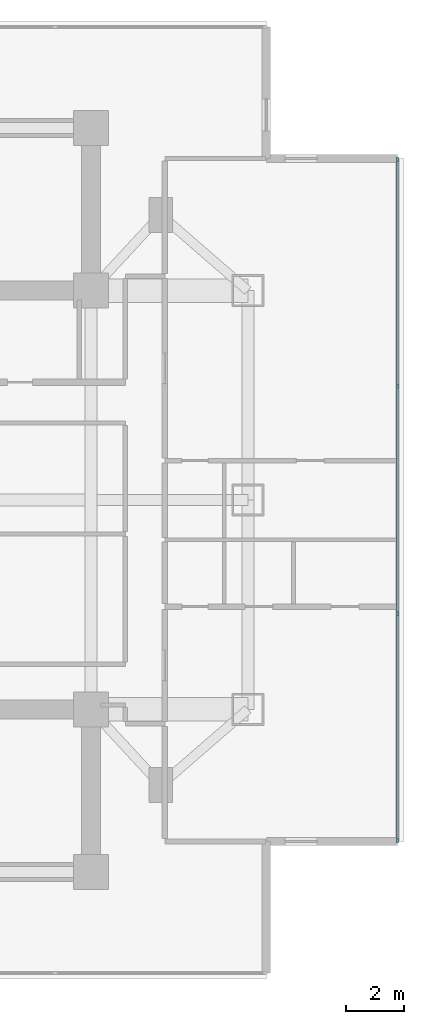
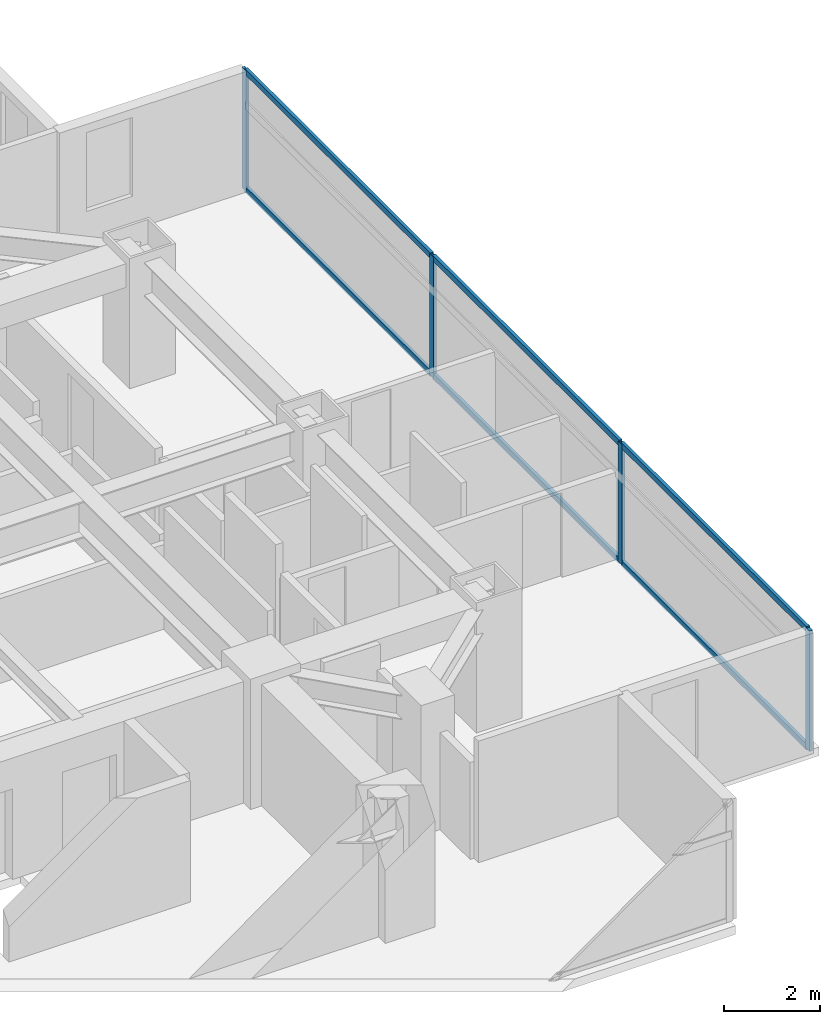
# One storey, part 11 of 26: 10 members, 1 element without a shape of its own.
"""IFC4 building model written with IfcOpenShell, lengths in metres."""

import ifcopenshell
import ifcopenshell.guid

model = None  # the IFC model being written
_history = None  # IfcOwnerHistory: only IFC2X3 demands one
_inside = {}  # id of a spatial element -> (the spatial element, [elements in it])
_under = {}  # id of a project, library or spatial element -> (it, [spatial elements below it])
_declared = {}  # id of a project -> (the project, [libraries it declares])
_typed = {}  # id of a type object -> (the type object, [elements of that type])
_made_of = {}  # id of a material, layer set ... -> (it, [elements and type objects made of it])


def new_model(schema):
    """Start an empty IFC model of exactly this schema.

    Asked for "IFC4X3", IfcOpenShell would pick the latest addendum, in which some entities
    have other attributes; the version numbers below select the first issue.
    IFC2X3 requires an IfcOwnerHistory on every rooted entity: one is made here for all.
    """
    global model, _history
    if schema == "IFC4X3":
        model = ifcopenshell.file(schema_version=(4, 3, 0, 0))
    else:
        model = ifcopenshell.file(schema=schema)
    _inside.clear()
    _under.clear()
    _declared.clear()
    _typed.clear()
    _made_of.clear()
    _history = None
    if model.schema == "IFC2X3":
        org = make("IfcOrganization", Name="unknown")
        user = make(
            "IfcPersonAndOrganization",
            ThePerson=make("IfcPerson", FamilyName="unknown"),
            TheOrganization=org,
        )
        app = make(
            "IfcApplication",
            ApplicationDeveloper=org,
            Version="unknown",
            ApplicationFullName="unknown",
            ApplicationIdentifier="unknown",
        )
        _history = make(
            "IfcOwnerHistory",
            OwningUser=user,
            OwningApplication=app,
            ChangeAction="ADDED",
            CreationDate=0,
        )
    return model


def make(cls, **values):
    """One entity of the class cls with the attributes given. An attribute that is None is left unset."""
    return model.create_entity(
        cls, **{name: value for name, value in values.items() if value is not None}
    )


def rooted(cls, **values):
    """An entity with a GlobalId (a new one), such as an element, a storey or a relation."""
    return make(cls, GlobalId=ifcopenshell.guid.new(), OwnerHistory=_history, **values)


def si_unit(unit_type, name, prefix=None):
    """IfcSIUnit, for example si_unit("LENGTHUNIT", "METRE", prefix="MILLI")."""
    return make("IfcSIUnit", UnitType=unit_type, Prefix=prefix, Name=name)


def assignment(units):
    """IfcUnitAssignment: the units of a project."""
    return None if units is None else make("IfcUnitAssignment", Units=units)


def point(xyz):
    """IfcCartesianPoint."""
    return None if xyz is None else make("IfcCartesianPoint", Coordinates=xyz)


def direction(xyz):
    """IfcDirection."""
    return None if xyz is None else make("IfcDirection", DirectionRatios=xyz)


def frame(location, z_axis=None, x_axis=None):
    """IfcAxis2Placement3D, a coordinate frame: its origin and axes. An axis left out is left unset."""
    return make(
        "IfcAxis2Placement3D",
        Location=point(location),
        Axis=direction(z_axis),
        RefDirection=direction(x_axis),
    )


def frame_2d(location, x_axis=None):
    """IfcAxis2Placement2D, a coordinate frame in the plane: its origin and x axis."""
    return make(
        "IfcAxis2Placement2D", Location=point(location), RefDirection=direction(x_axis)
    )


def origin():
    """The frame at (0, 0, 0) with its axes left unset."""
    return frame((0.0, 0.0, 0.0))


def origin_2d():
    """The frame at (0, 0) in the plane with its x axis left unset."""
    return frame_2d((0.0, 0.0))


def place(relative_to, where):
    """IfcLocalPlacement: puts the frame where relative to a parent placement (None: the world)."""
    return make(
        "IfcLocalPlacement", PlacementRelTo=relative_to, RelativePlacement=where
    )


def context(
    kind, dimensions, precision=None, world=None, true_north=None, identifier=None
):
    """IfcGeometricRepresentationContext, for example the 3D "Model" context."""
    return make(
        "IfcGeometricRepresentationContext",
        ContextIdentifier=identifier,
        ContextType=kind,
        CoordinateSpaceDimension=dimensions,
        Precision=precision,
        WorldCoordinateSystem=world,
        TrueNorth=true_north,
    )


def subcontext(parent, identifier, kind, view, scale=None):
    """IfcGeometricRepresentationSubContext, for example "Body" below "Model"."""
    return make(
        "IfcGeometricRepresentationSubContext",
        ContextIdentifier=identifier,
        ContextType=kind,
        ParentContext=parent,
        TargetScale=scale,
        TargetView=view,
    )


def project(units=None, contexts=None):
    """IfcProject with its units and contexts."""
    return rooted(
        "IfcProject",
        Name="project",
        RepresentationContexts=contexts,
        UnitsInContext=assignment(units),
    )


def spatial(cls, under=None, at=None, **own):
    """A site, building, storey or space (cls), placed at a placement, below another one or the project."""
    s = rooted(cls, ObjectPlacement=at, **own)
    if under is not None:
        _under.setdefault(under.id(), (under, []))[1].append(s)
    return s


def profile(cls, at=None, kind="AREA", **sizes):
    """A parametric profile (cls). Its sizes go by their IFC names, for example OverallWidth=200.0."""
    return make(cls, ProfileType=kind, Position=at, **sizes)


def rectangle(**sizes):
    """IfcRectangleProfileDef."""
    return profile("IfcRectangleProfileDef", **sizes)


def extrude(swept, where, along, depth):
    """IfcExtrudedAreaSolid: the profile swept, set in the frame where, extruded along a direction by depth."""
    return make(
        "IfcExtrudedAreaSolid",
        SweptArea=swept,
        Position=where,
        ExtrudedDirection=direction(along),
        Depth=depth,
    )


def shape(context_of_items, identifier, shape_type, items):
    """IfcShapeRepresentation: the items that make up one representation, for example the "Body"."""
    return make(
        "IfcShapeRepresentation",
        ContextOfItems=context_of_items,
        RepresentationIdentifier=identifier,
        RepresentationType=shape_type,
        Items=items,
    )


def material(Name=None, Category=None):
    """IfcMaterial."""
    return make("IfcMaterial", Name=Name, Category=Category)


def material_profile(
    of_material, cross_section, Name=None, Category=None, Priority=None
):
    """IfcMaterialProfile: a cross section and its material."""
    return make(
        "IfcMaterialProfile",
        Name=Name,
        Material=of_material,
        Profile=cross_section,
        Priority=Priority,
        Category=Category,
    )


def profile_set(profiles, Name=None, composite=None):
    """IfcMaterialProfileSet."""
    return make(
        "IfcMaterialProfileSet",
        Name=Name,
        MaterialProfiles=profiles,
        CompositeProfile=composite,
    )


def made_of(thing, what):
    """Note that an element or type object is made of a material, layer set ...; save() writes the relation."""
    if what is not None:
        _made_of.setdefault(what.id(), (what, []))[1].append(thing)
    return thing


def type_object(cls, material=None, **own):
    """A type object (cls), such as IfcWallType, which elements share."""
    return made_of(rooted(cls, **own), material)


def element(
    cls,
    number,
    at=None,
    inside=None,
    cuts=None,
    type_object=None,
    material=None,
    context=None,
    identifier="Body",
    shape_type=None,
    held_by="IfcProductDefinitionShape",
    body=None,
    shapes=None,
    **own,
):
    """One element of the class cls, such as IfcWall. Its Tag is "e" and its number.

    at: its placement. inside: the storey or other place that contains it. cuts: it is an
    opening in that element (IfcRelVoidsElement). A single representation is given by context,
    identifier, shape_type and body (its items); several are given by shapes. held_by: the class
    of the entity that holds the representations. save() writes the other relations.
    """
    e = rooted(cls, Tag="e%d" % number, ObjectPlacement=at, **own)
    if body is not None:
        shapes = [shape(context, identifier, shape_type, body)]
    if shapes is not None:
        e.Representation = make(held_by, Representations=shapes)
    if inside is not None:
        _inside.setdefault(inside.id(), (inside, []))[1].append(e)
    if cuts is not None:
        rooted(
            "IfcRelVoidsElement", RelatingBuildingElement=cuts, RelatedOpeningElement=e
        )
    if type_object is not None:
        _typed.setdefault(type_object.id(), (type_object, []))[1].append(e)
    return made_of(e, material)


def aggregate(whole, parts):
    """IfcRelAggregates: a whole, such as a stair, and the parts it consists of."""
    return rooted("IfcRelAggregates", RelatingObject=whole, RelatedObjects=parts)


def save(model, path):
    """Write the relations noted so far, then the file.

    IfcRelAggregates (storeys below a building ...), IfcRelContainedInSpatialStructure (elements
    in a storey), IfcRelDefinesByType, IfcRelAssociatesMaterial and IfcRelDeclares: one each for
    every whole, place, type object, material and project.
    """
    for whole, parts in _under.values():
        aggregate(whole, parts)
    for where, things in _inside.values():
        rooted(
            "IfcRelContainedInSpatialStructure",
            RelatedElements=things,
            RelatingStructure=where,
        )
    for kind, things in _typed.values():
        rooted("IfcRelDefinesByType", RelatedObjects=things, RelatingType=kind)
    for what, things in _made_of.values():
        rooted("IfcRelAssociatesMaterial", RelatedObjects=things, RelatingMaterial=what)
    for by, libraries in _declared.values():
        rooted("IfcRelDeclares", RelatingContext=by, RelatedDefinitions=libraries)
    model.write(path)


model = new_model("IFC4")

# Units and contexts
model_context = context("Model", 3, precision=1e-05, world=origin(), true_north=direction((0.0, 1.0)))
body_context = subcontext(model_context, "Body", "Model", "MODEL_VIEW")
ifc_project = project(units=[si_unit("LENGTHUNIT", "METRE"), si_unit("AREAUNIT", "SQUARE_METRE"), si_unit("VOLUMEUNIT", "CUBIC_METRE"), si_unit("PLANEANGLEUNIT", "RADIAN"), si_unit("MASSUNIT", "GRAM", prefix="KILO")], contexts=[model_context])

# Site, building, storey
site_placement = place(None, origin())
site = spatial("IfcSite", under=ifc_project, at=site_placement, CompositionType="ELEMENT")
building_placement = place(site_placement, origin())
building = spatial("IfcBuilding", under=site, at=building_placement, Name="Mirazonda Arch Towers", CompositionType="ELEMENT")
storey_placement = place(building_placement, frame((0.0, 0.0, 114.800048828125)))
storey = spatial("IfcBuildingStorey", under=building, at=storey_placement, Name="L32", CompositionType="ELEMENT", Elevation=114.800048828125)

# Curtain wall, members
ifc_material_1 = material(Name="Anodised Aluminium and Low-E Glass", Category="aluminium")
curtain_wall_type = type_object("IfcCurtainWallType", Name="CW-HTL-UNIT", PredefinedType="NOTDEFINED", material=ifc_material_1)
curtain_wall_placement = place(storey_placement, origin())
curtain_wall = element("IfcCurtainWall", 1, at=curtain_wall_placement, inside=storey, type_object=curtain_wall_type, Name="L32 T2 E Facade CW-L32-T2-E", PredefinedType="NOTDEFINED")
ifc_material_2 = material(Name="Anodised Aluminium Alloy", Category="aluminium")
ifc_material_profile_1 = material_profile(ifc_material_2, rectangle(XDim=0.074951171875, YDim=0.1650390625, at=origin_2d()), Name="ALU-MULL-75x165")
ifc_profile_set_1 = profile_set([ifc_material_profile_1], Name="Anodised Aluminium Alloy")
member_type_1 = type_object("IfcMemberType", Name="MULL-CW-HTL-UNIT", PredefinedType="MULLION", material=ifc_profile_set_1)
member_1_placement = place(storey_placement, frame((95.54638671875, 16.289794921875, 0.0), z_axis=(0.0, 0.0, 1.0), x_axis=(-1.0, 0.0, 0.0)))
member_1 = element("IfcMember", 2, at=member_1_placement, type_object=member_type_1, Name="CW-112 mullion 1", PredefinedType="MULLION", context=body_context, shape_type="SweptSolid", body=[
    extrude(rectangle(XDim=0.074951171875, YDim=0.1650390625, at=origin_2d()), origin(), (0.0, 0.0, 1.0), 3.06005859375),
])
member_2_placement = place(storey_placement, frame((95.54638671875, 24.084228515625, 0.0), z_axis=(0.0, 0.0, 1.0), x_axis=(-1.0, 0.0, 0.0)))
member_2 = element("IfcMember", 3, at=member_2_placement, type_object=member_type_1, Name="CW-112 mullion 2", PredefinedType="MULLION", context=body_context, shape_type="SweptSolid", body=[
    extrude(rectangle(XDim=0.074951171875, YDim=0.1650390625, at=origin_2d()), origin(), (0.0, 0.0, 1.0), 3.06005859375),
])
member_3_placement = place(storey_placement, frame((95.54638671875, 31.915771484375, 0.0), z_axis=(0.0, 0.0, 1.0), x_axis=(-1.0, 0.0, 0.0)))
member_3 = element("IfcMember", 4, at=member_3_placement, type_object=member_type_1, Name="CW-112 mullion 3", PredefinedType="MULLION", context=body_context, shape_type="SweptSolid", body=[
    extrude(rectangle(XDim=0.074951171875, YDim=0.1650390625, at=origin_2d()), origin(), (0.0, 0.0, 1.0), 3.06005859375),
])
member_4_placement = place(storey_placement, frame((95.54638671875, 39.710205078125, 0.0), z_axis=(0.0, 0.0, 1.0), x_axis=(-1.0, 0.0, 0.0)))
member_4 = element("IfcMember", 5, at=member_4_placement, type_object=member_type_1, Name="CW-112 mullion 4", PredefinedType="MULLION", context=body_context, shape_type="SweptSolid", body=[
    extrude(rectangle(XDim=0.074951171875, YDim=0.1650390625, at=origin_2d()), origin(), (0.0, 0.0, 1.0), 3.06005859375),
])
ifc_material_profile_2 = material_profile(ifc_material_2, rectangle(XDim=0.074951171875, YDim=0.14501953125, at=origin_2d()), Name="ALU-TRAN-75x145")
ifc_profile_set_2 = profile_set([ifc_material_profile_2], Name="Anodised Aluminium Alloy")
member_type_2 = type_object("IfcMemberType", Name="TRAN-CW-HTL-UNIT", PredefinedType="USERDEFINED", material=ifc_profile_set_2)
member_5_placement = place(storey_placement, frame((95.54638671875, 16.327392578125, 0.037353515625), z_axis=(0.0, 1.0, 0.0), x_axis=(-1.0, 0.0, 0.0)))
member_5 = element("IfcMember", 6, at=member_5_placement, type_object=member_type_2, Name="CW-112 transom 1.1", ObjectType="TRANSOM", PredefinedType="USERDEFINED", context=body_context, shape_type="SweptSolid", body=[
    extrude(rectangle(XDim=0.074951171875, YDim=0.14501953125, at=origin_2d()), origin(), (0.0, 0.0, 1.0), 7.71923828125),
])
member_6_placement = place(storey_placement, frame((95.54638671875, 16.327392578125, 3.0224609375), z_axis=(0.0, 1.0, 0.0), x_axis=(-1.0, 0.0, 0.0)))
member_6 = element("IfcMember", 7, at=member_6_placement, type_object=member_type_2, Name="CW-112 transom 1.2", ObjectType="TRANSOM", PredefinedType="USERDEFINED", context=body_context, shape_type="SweptSolid", body=[
    extrude(rectangle(XDim=0.074951171875, YDim=0.14501953125, at=origin_2d()), origin(), (0.0, 0.0, 1.0), 7.71923828125),
])
member_7_placement = place(storey_placement, frame((95.54638671875, 24.12158203125, 0.037353515625), z_axis=(0.0, 1.0, 0.0), x_axis=(-1.0, 0.0, 0.0)))
member_7 = element("IfcMember", 8, at=member_7_placement, type_object=member_type_2, Name="CW-112 transom 2.1", ObjectType="TRANSOM", PredefinedType="USERDEFINED", context=body_context, shape_type="SweptSolid", body=[
    extrude(rectangle(XDim=0.074951171875, YDim=0.14501953125, at=origin_2d()), origin(), (0.0, 0.0, 1.0), 7.7568359375),
])
member_8_placement = place(storey_placement, frame((95.54638671875, 24.12158203125, 3.0224609375), z_axis=(0.0, 1.0, 0.0), x_axis=(-1.0, 0.0, 0.0)))
member_8 = element("IfcMember", 9, at=member_8_placement, type_object=member_type_2, Name="CW-112 transom 2.2", ObjectType="TRANSOM", PredefinedType="USERDEFINED", context=body_context, shape_type="SweptSolid", body=[
    extrude(rectangle(XDim=0.074951171875, YDim=0.14501953125, at=origin_2d()), origin(), (0.0, 0.0, 1.0), 7.7568359375),
])
member_9_placement = place(storey_placement, frame((95.54638671875, 31.953369140625, 0.037353515625), z_axis=(0.0, 1.0, 0.0), x_axis=(-1.0, 0.0, 0.0)))
member_9 = element("IfcMember", 10, at=member_9_placement, type_object=member_type_2, Name="CW-112 transom 3.1", ObjectType="TRANSOM", PredefinedType="USERDEFINED", context=body_context, shape_type="SweptSolid", body=[
    extrude(rectangle(XDim=0.074951171875, YDim=0.14501953125, at=origin_2d()), origin(), (0.0, 0.0, 1.0), 7.71923828125),
])
member_10_placement = place(storey_placement, frame((95.54638671875, 31.953369140625, 3.0224609375), z_axis=(0.0, 1.0, 0.0), x_axis=(-1.0, 0.0, 0.0)))
member_10 = element("IfcMember", 11, at=member_10_placement, type_object=member_type_2, Name="CW-112 transom 3.2", ObjectType="TRANSOM", PredefinedType="USERDEFINED", context=body_context, shape_type="SweptSolid", body=[
    extrude(rectangle(XDim=0.074951171875, YDim=0.14501953125, at=origin_2d()), origin(), (0.0, 0.0, 1.0), 7.71923828125),
])
aggregate(curtain_wall, [member_1, member_2, member_3, member_4, member_5, member_6, member_7, member_8, member_9, member_10])

save(model, "model.ifc")
